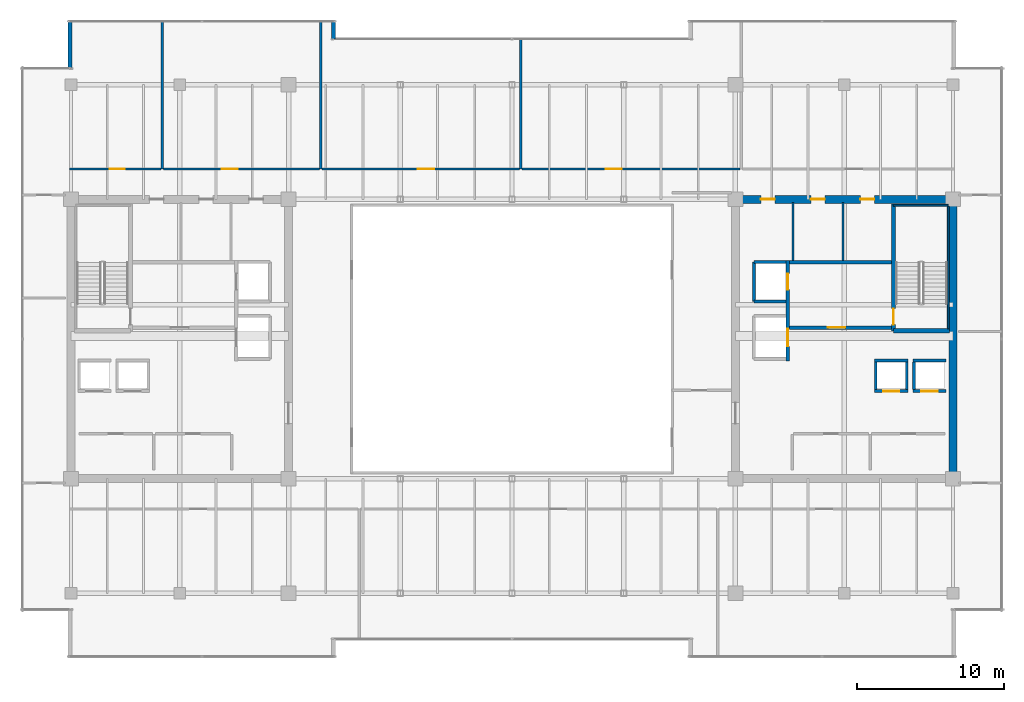
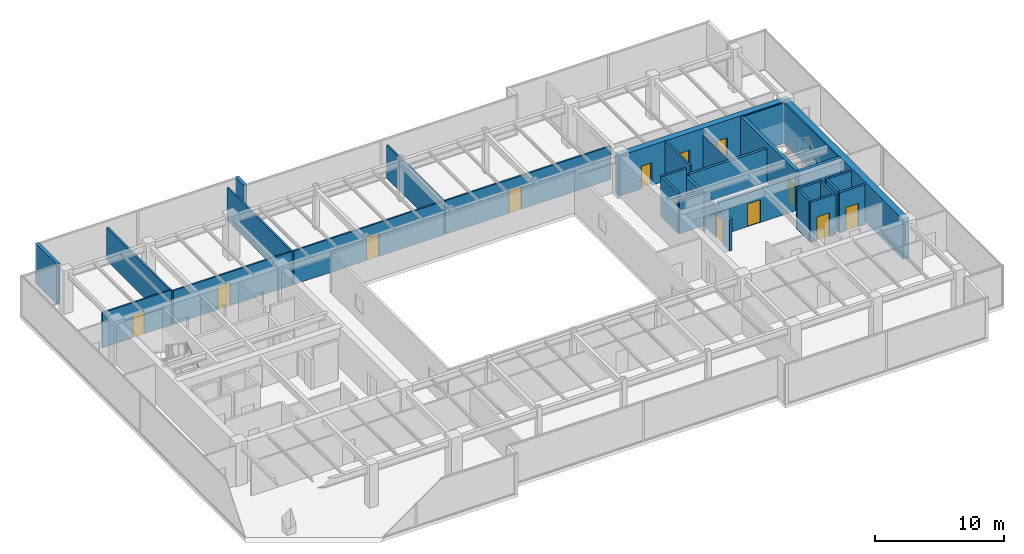
# One storey, part 30 of 33: 30 walls, 13 doors, 13 openings.
"""IFC4 building model written with IfcOpenShell, lengths in metres."""

from ifc_helpers import new_model, si_unit, direction, frame, frame_2d, origin, place, context, subcontext, project, spatial, rectangle, extrude, source, transform, mapped, material, layer, layer_set, type_object, type_shapes, element, fill, save


model = new_model("IFC4")

# Units and contexts
model_context = context("Model", 3, precision=1e-05, world=origin(), true_north=direction((0.0, 1.0)))
body_context = subcontext(model_context, "Body", "Model", "MODEL_VIEW")
ifc_project = project(units=[si_unit("LENGTHUNIT", "METRE"), si_unit("AREAUNIT", "SQUARE_METRE"), si_unit("VOLUMEUNIT", "CUBIC_METRE"), si_unit("PLANEANGLEUNIT", "RADIAN"), si_unit("MASSUNIT", "GRAM", prefix="KILO")], contexts=[model_context])

# Site, building, storey
site_placement = place(None, origin())
site = spatial("IfcSite", under=ifc_project, at=site_placement, CompositionType="ELEMENT")
building_placement = place(site_placement, origin())
building = spatial("IfcBuilding", under=site, at=building_placement, Name="Haelvirn Gate Laboratories", CompositionType="ELEMENT")
storey_placement = place(building_placement, frame((0.0, 0.0, 271.10009765625)))
storey = spatial("IfcBuildingStorey", under=building, at=storey_placement, Name="L65", CompositionType="ELEMENT", Elevation=271.10009765625)

# Walls
ifc_material_1 = material(Name="Thermally-broken bronze aluminium rainscreen & mineral wool", Category="aluminium")
ifc_layer_1 = layer(ifc_material_1, 0.280029296875, Name="EW-TERR-280")
ifc_layer_set_1 = layer_set([ifc_layer_1], Name="Thermally-broken bronze aluminium rainscreen & mineral wool")
wall_type_1 = type_object("IfcWallType", Name="EW-TERR-280", PredefinedType="STANDARD", material=ifc_layer_set_1)
wall_1_placement = place(storey_placement, frame((25.260009765625, 44.70703125, 0.0), z_axis=(0.0, 0.0, 1.0), x_axis=(0.0, 1.0, 0.0)))
element("IfcWall", 1, at=wall_1_placement, inside=storey, type_object=wall_type_1, Name="L65 Atrium Recess Bronze Return Wall 13", PredefinedType="STANDARD", context=body_context, shape_type="SweptSolid", body=[
    extrude(rectangle(XDim=1.29296875, YDim=0.280029296875, at=frame_2d((0.646484375, 0.0))), origin(), (0.0, 0.0, 1.0), 3.7998046875),
])
wall_2_placement = place(storey_placement, frame((7.340087890625, 46.0, 0.0), z_axis=(0.0, 0.0, 1.0), x_axis=(0.0, -1.0, 0.0)))
element("IfcWall", 2, at=wall_2_placement, inside=storey, type_object=wall_type_1, Name="L65 Atrium Recess Bronze Return Wall 15", PredefinedType="STANDARD", context=body_context, shape_type="SweptSolid", body=[
    extrude(rectangle(XDim=3.2880859375, YDim=0.280029296875, at=frame_2d((1.64404296875, 0.0))), origin(), (0.0, 0.0, 1.0), 3.7998046875),
])
ifc_material_2 = material(Name="Double-layer acoustic gypsum laboratory partition", Category="gypsum")
ifc_layer_2 = layer(ifc_material_2, 0.159912109375, Name="IW-ACOUST-160")
ifc_layer_set_2 = layer_set([ifc_layer_2], Name="Double-layer acoustic gypsum laboratory partition")
wall_type_2 = type_object("IfcWallType", Name="IW-ACOUST-160", PredefinedType="PARTITIONING", material=ifc_layer_set_2)
for number, where, z_axis, x_axis, name in (
    (3, (13.60009765625, 35.860107421875, 0.0), (0.0, 0.0, 1.0), (0.0, 1.0, 0.0), "L65 Interior Wall IW-L65-NDIV-01"),
    (4, (24.39990234375, 35.860107421875, 0.0), (0.0, 0.0, 1.0), (0.0, 1.0, 0.0), "L65 Interior Wall IW-L65-NDIV-02"),
):
    element("IfcWall", number, at=place(storey_placement, frame(where, z_axis=z_axis, x_axis=x_axis)), inside=storey, type_object=wall_type_2, Name=name, PredefinedType="PARTITIONING", context=body_context, shape_type="SweptSolid", body=[
        extrude(rectangle(XDim=10.02978515625, YDim=0.159912109375, at=frame_2d((5.014892578125, 0.0))), origin(), (0.0, 0.0, 1.0), 3.135009765625),
    ])
wall_3_placement = place(storey_placement, frame((38.0, 35.860107421875, 0.0), z_axis=(0.0, 0.0, 1.0), x_axis=(0.0, 1.0, 0.0)))
element("IfcWall", 5, at=wall_3_placement, inside=storey, type_object=wall_type_2, Name="L65 Interior Wall IW-L65-NDIV-03", PredefinedType="PARTITIONING", context=body_context, shape_type="SweptSolid", body=[
    extrude(rectangle(XDim=8.829833984375, YDim=0.159912109375, at=frame_2d((4.4150390625, 0.0))), origin(), (0.0, 0.0, 1.0), 3.135009765625),
])

# Wall, opening, door
ifc_material_3 = material(Name="Acoustic mineral-wool gypsum board partition", Category="gypsum")
ifc_layer_3 = layer(ifc_material_3, 0.139892578125, Name="IW-PART-140")
ifc_layer_set_3 = layer_set([ifc_layer_3], Name="Acoustic mineral-wool gypsum board partition")
wall_type_3 = type_object("IfcWallType", Name="IW-PART-140", PredefinedType="PARTITIONING", material=ifc_layer_set_3)
wall_4_placement = place(storey_placement, frame((7.31005859375, 35.860107421875, 0.0), z_axis=(0.0, 0.0, 1.0), x_axis=(1.0, 0.0, 0.0)))
wall_4 = element("IfcWall", 6, at=wall_4_placement, inside=storey, type_object=wall_type_3, Name="L65 Interior Wall IW-L65-NCORR-01", PredefinedType="PARTITIONING", context=body_context, shape_type="SweptSolid", body=[
    extrude(rectangle(XDim=6.2099609375, YDim=0.139892578125, at=frame_2d((3.10498046875, 0.0))), origin(), (0.0, 0.0, 1.0), 3.3349609375),
])
opening_1_placement = place(wall_4_placement, frame((2.740234375, 0.0, 0.0)))
opening_1 = element("IfcOpeningElement", 7, at=opening_1_placement, cuts=wall_4, Name="Opening D2", PredefinedType="OPENING", context=body_context, shape_type="SweptSolid", body=[
    extrude(rectangle(XDim=1.0, YDim=2.14990234375, at=frame_2d((0.5, 1.074951171875))), frame((0.0, 0.080078125, 0.0), z_axis=(0.0, -1.0, 0.0), x_axis=(1.0, 0.0, 0.0)), (0.0, 0.0, 1.0), 0.159912109375),
])
ifc_material_4 = material(Name="Acoustic solid-core timber suite door", Category="wood")
door_type_1 = type_object("IfcDoorType", Name="DR-INT-1000", OperationType="NOTDEFINED", PredefinedType="DOOR", material=ifc_material_4)
shared_shape_1 = source(origin(), body_context, "Body", "SweptSolid", [
    extrude(rectangle(XDim=1.0, YDim=2.14990234375, at=frame_2d((0.5, 1.074951171875))), frame((0.0, 0.02490234375, 0.0), z_axis=(0.0, -1.0, 0.0), x_axis=(1.0, 0.0, 0.0)), (0.0, 0.0, 1.0), 0.050048828125),
])
type_shapes(door_type_1, [shared_shape_1])
door_1_placement = place(opening_1_placement, origin())
door_1 = element("IfcDoor", 8, at=door_1_placement, inside=storey, type_object=door_type_1, Name="L65 Bioinformatics Dry-Lab Workspace Door N1", OperationType="SINGLE_SWING_LEFT", OverallHeight=2.14990234375, OverallWidth=1.0, PredefinedType="DOOR", context=body_context, shape_type="MappedRepresentation", body=[
    mapped(shared_shape_1, transform((0.0, 0.0, 0.0), scale=1.0)),
])
fill(opening_1, door_1)

wall_5_placement = place(storey_placement, frame((13.679931640625, 35.860107421875, 0.0), z_axis=(0.0, 0.0, 1.0), x_axis=(1.0, 0.0, 0.0)))
wall_5 = element("IfcWall", 9, at=wall_5_placement, inside=storey, type_object=wall_type_3, Name="L65 Interior Wall IW-L65-NCORR-02", PredefinedType="PARTITIONING", context=body_context, shape_type="SweptSolid", body=[
    extrude(rectangle(XDim=10.64013671875, YDim=0.139892578125, at=frame_2d((5.320068359375, 0.0))), origin(), (0.0, 0.0, 1.0), 3.197021484375),
])
opening_2_placement = place(wall_5_placement, frame((3.974365234375, 0.0, 0.0)))
opening_2 = element("IfcOpeningElement", 10, at=opening_2_placement, cuts=wall_5, Name="Opening D1", PredefinedType="OPENING", context=body_context, shape_type="SweptSolid", body=[
    extrude(rectangle(XDim=1.10009765625, YDim=2.179931640625, at=frame_2d((0.550048828125, 1.08984375))), frame((0.0, 0.080078125, 0.0), z_axis=(0.0, -1.0, 0.0), x_axis=(1.0, 0.0, 0.0)), (0.0, 0.0, 1.0), 0.159912109375),
])
ifc_material_5 = material(Name="Vision-panel acoustic solid-core timber lab door", Category="wood")
door_type_2 = type_object("IfcDoorType", Name="DR-LAB-1100", OperationType="NOTDEFINED", PredefinedType="DOOR", material=ifc_material_5)
shared_shape_2 = source(origin(), body_context, "Body", "SweptSolid", [
    extrude(rectangle(XDim=1.10009765625, YDim=2.179931640625, at=frame_2d((0.550048828125, 1.08984375))), frame((0.0, 0.02490234375, 0.0), z_axis=(0.0, -1.0, 0.0), x_axis=(1.0, 0.0, 0.0)), (0.0, 0.0, 1.0), 0.050048828125),
])
type_shapes(door_type_2, [shared_shape_2])
door_2_placement = place(opening_2_placement, origin())
door_2 = element("IfcDoor", 11, at=door_2_placement, inside=storey, type_object=door_type_2, Name="L65 Scientific Reference Library Door N2", OperationType="SINGLE_SWING_RIGHT", OverallHeight=2.179931640625, OverallWidth=1.10009765625, PredefinedType="DOOR", context=body_context, shape_type="MappedRepresentation", body=[
    mapped(shared_shape_2, transform((0.0, 0.0, 0.0), scale=1.0)),
])
fill(opening_2, door_2)

wall_6_placement = place(storey_placement, frame((24.47998046875, 35.860107421875, 0.0), z_axis=(0.0, 0.0, 1.0), x_axis=(1.0, 0.0, 0.0)))
wall_6 = element("IfcWall", 12, at=wall_6_placement, inside=storey, type_object=wall_type_3, Name="L65 Interior Wall IW-L65-NCORR-03", PredefinedType="PARTITIONING", context=body_context, shape_type="SweptSolid", body=[
    extrude(rectangle(XDim=13.43994140625, YDim=0.139892578125, at=frame_2d((6.719970703125, 0.0))), origin(), (0.0, 0.0, 1.0), 3.197021484375),
])
opening_3_placement = place(wall_6_placement, frame((6.519287109375, 0.0, 0.0)))
opening_3 = element("IfcOpeningElement", 13, at=opening_3_placement, cuts=wall_6, Name="Opening D1", PredefinedType="OPENING", context=body_context, shape_type="SweptSolid", body=[
    extrude(rectangle(XDim=1.10009765625, YDim=2.179931640625, at=frame_2d((0.550048828125, 1.08984375))), frame((0.0, 0.080078125, 0.0), z_axis=(0.0, -1.0, 0.0), x_axis=(1.0, 0.0, 0.0)), (0.0, 0.0, 1.0), 0.159912109375),
])
door_3_placement = place(opening_3_placement, origin())
door_3 = element("IfcDoor", 14, at=door_3_placement, inside=storey, type_object=door_type_2, Name="L65 Instrumentation Prototyping Workshop Door N3", OperationType="SINGLE_SWING_LEFT", OverallHeight=2.179931640625, OverallWidth=1.10009765625, PredefinedType="DOOR", context=body_context, shape_type="MappedRepresentation", body=[
    mapped(shared_shape_2, transform((0.0, 0.0, 0.0), scale=1.0)),
])
fill(opening_3, door_3)

wall_7_placement = place(storey_placement, frame((38.080078125, 35.860107421875, 0.0), z_axis=(0.0, 0.0, 1.0), x_axis=(1.0, 0.0, 0.0)))
wall_7 = element("IfcWall", 15, at=wall_7_placement, inside=storey, type_object=wall_type_3, Name="L65 Interior Wall IW-L65-NCORR-04", PredefinedType="PARTITIONING", context=body_context, shape_type="SweptSolid", body=[
    extrude(rectangle(XDim=14.83984375, YDim=0.139892578125, at=frame_2d((7.419921875, 0.0))), origin(), (0.0, 0.0, 1.0), 3.197021484375),
])
opening_4_placement = place(wall_7_placement, frame((5.6962890625, 0.0, 0.0)))
opening_4 = element("IfcOpeningElement", 16, at=opening_4_placement, cuts=wall_7, Name="Opening D1", PredefinedType="OPENING", context=body_context, shape_type="SweptSolid", body=[
    extrude(rectangle(XDim=1.10009765625, YDim=2.179931640625, at=frame_2d((0.550048828125, 1.08984375))), frame((0.0, 0.080078125, 0.0), z_axis=(0.0, -1.0, 0.0), x_axis=(1.0, 0.0, 0.0)), (0.0, 0.0, 1.0), 0.159912109375),
])
door_4_placement = place(opening_4_placement, origin())
door_4 = element("IfcDoor", 17, at=door_4_placement, inside=storey, type_object=door_type_2, Name="L65 Colloquium Conference Room Door N4", OperationType="SINGLE_SWING_RIGHT", OverallHeight=2.179931640625, OverallWidth=1.10009765625, PredefinedType="DOOR", context=body_context, shape_type="MappedRepresentation", body=[
    mapped(shared_shape_2, transform((0.0, 0.0, 0.0), scale=1.0)),
])
fill(opening_4, door_4)

# Walls
ifc_material_6 = material(Name="Cement-board restroom plumbing chase wall", Category="gypsum")
ifc_layer_4 = layer(ifc_material_6, 0.155029296875, Name="IW-PLUMB-160")
ifc_layer_set_4 = layer_set([ifc_layer_4], Name="Cement-board restroom plumbing chase wall")
wall_type_4 = type_object("IfcWallType", Name="IW-PLUMB-160", PredefinedType="PLUMBINGWALL", material=ifc_layer_set_4)
wall_8_placement = place(storey_placement, frame((59.909912109375, 29.64990234375, 0.0), z_axis=(0.0, 0.0, 1.0), x_axis=(0.0, 1.0, 0.0)))
element("IfcWall", 18, at=wall_8_placement, inside=storey, type_object=wall_type_4, Name="L65 Interior Wall IW-L65-E-CDIV-1", PredefinedType="PLUMBINGWALL", context=body_context, shape_type="SweptSolid", body=[
    extrude(rectangle(XDim=3.93017578125, YDim=0.155029296875, at=frame_2d((1.965087890625, 0.0))), origin(), (0.0, 0.0, 1.0), 3.197021484375),
])
wall_9_placement = place(storey_placement, frame((56.510009765625, 29.64990234375, 0.0), z_axis=(0.0, 0.0, 1.0), x_axis=(0.0, 1.0, 0.0)))
element("IfcWall", 19, at=wall_9_placement, inside=storey, type_object=wall_type_4, Name="L65 Interior Wall IW-L65-E-CDIV-2", PredefinedType="PLUMBINGWALL", context=body_context, shape_type="SweptSolid", body=[
    extrude(rectangle(XDim=3.93017578125, YDim=0.155029296875, at=frame_2d((1.965087890625, 0.0))), origin(), (0.0, 0.0, 1.0), 3.7998046875),
])
ifc_material_7 = material(Name="Concrete C40/50", Category="concrete")
ifc_layer_5 = layer(ifc_material_7, 0.179931640625, Name="IW-SHAFT-180")
ifc_layer_set_5 = layer_set([ifc_layer_5], Name="Concrete C40/50")
wall_type_5 = type_object("IfcWallType", Name="IW-SHAFT-180", PredefinedType="SOLIDWALL", material=ifc_layer_set_5)
for number, where, z_axis, x_axis, name in (
    (20, (64.75, 20.85009765625, 0.0), (0.0, 0.0, 1.0), (0.0, 1.0, 0.0), "L65 Interior Wall IW-L65-PL11-SD"),
    (21, (62.14990234375, 20.85009765625, 0.0), (0.0, 0.0, 1.0), (0.0, 1.0, 0.0), "L65 Interior Wall IW-L65-PL12-SD"),
    (22, (64.25, 20.85009765625, 0.0), (0.0, 0.0, 1.0), (0.0, 1.0, 0.0), "L65 Interior Wall IW-L65-PL12-SDE"),
):
    element("IfcWall", number, at=place(storey_placement, frame(where, z_axis=z_axis, x_axis=x_axis)), inside=storey, type_object=wall_type_5, Name=name, PredefinedType="SOLIDWALL", context=body_context, shape_type="SweptSolid", body=[
        extrude(rectangle(XDim=1.89990234375, YDim=0.179931640625, at=frame_2d((0.949951171875, 0.0))), origin(), (0.0, 0.0, 1.0), 3.7998046875),
    ])

# Wall, opening, door
ifc_layer_6 = layer(ifc_material_7, 0.199951171875, Name="IW-SHAFT-200")
ifc_layer_set_6 = layer_set([ifc_layer_6], Name="Concrete C40/50")
wall_type_6 = type_object("IfcWallType", Name="IW-SHAFT-200", PredefinedType="SOLIDWALL", material=ifc_layer_set_6)
wall_10_placement = place(storey_placement, frame((64.669921875, 20.75, 0.0), z_axis=(0.0, 0.0, 1.0), x_axis=(1.0, 0.0, 0.0)))
wall_10 = element("IfcWall", 23, at=wall_10_placement, inside=storey, type_object=wall_type_6, Name="L65 Interior Wall IW-L65-PL11-FR", PredefinedType="SOLIDWALL", context=body_context, shape_type="SweptSolid", body=[
    extrude(rectangle(XDim=2.260009765625, YDim=0.199951171875, at=frame_2d((1.1298828125, 0.0))), origin(), (0.0, 0.0, 1.0), 3.7998046875),
])
opening_5_placement = place(wall_10_placement, frame((0.580078125, 0.0, 0.0)))
opening_5 = element("IfcOpeningElement", 24, at=opening_5_placement, cuts=wall_10, Name="Opening LD2", PredefinedType="OPENING", context=body_context, shape_type="SweptSolid", body=[
    extrude(rectangle(XDim=1.10009765625, YDim=2.219970703125, at=frame_2d((0.550048828125, 1.10986328125))), frame((0.0, 0.10986328125, 0.0), z_axis=(0.0, -1.0, 0.0), x_axis=(1.0, 0.0, 0.0)), (0.0, 0.0, 1.0), 0.219970703125),
])
ifc_material_8 = material(Name="Bronze stainless 316L sliding lift landing door")
door_type_3 = type_object("IfcDoorType", Name="DR-LD-1100", OperationType="NOTDEFINED", PredefinedType="USERDEFINED", material=ifc_material_8)
shared_shape_3 = source(origin(), body_context, "Body", "SweptSolid", [
    extrude(rectangle(XDim=1.10009765625, YDim=2.219970703125, at=frame_2d((0.550048828125, 1.10986328125))), frame((0.0, 0.02490234375, 0.0), z_axis=(0.0, -1.0, 0.0), x_axis=(1.0, 0.0, 0.0)), (0.0, 0.0, 1.0), 0.050048828125),
])
type_shapes(door_type_3, [shared_shape_3])
door_5_placement = place(opening_5_placement, origin())
door_5 = element("IfcDoor", 25, at=door_5_placement, inside=storey, type_object=door_type_3, Name="L65 Passenger Lift PL11 Landing Door", ObjectType="LANDING_DOOR", OperationType="SLIDING_TO_LEFT", OverallHeight=2.219970703125, OverallWidth=1.10009765625, PredefinedType="USERDEFINED", context=body_context, shape_type="MappedRepresentation", body=[
    mapped(shared_shape_3, transform((0.0, 0.0, 0.0), scale=1.0)),
])
fill(opening_5, door_5)

# Wall
wall_11_placement = place(storey_placement, frame((64.669921875, 22.85009765625, 0.0), z_axis=(0.0, 0.0, 1.0), x_axis=(1.0, 0.0, 0.0)))
element("IfcWall", 26, at=wall_11_placement, inside=storey, type_object=wall_type_6, Name="L65 Interior Wall IW-L65-PL11-BK", PredefinedType="SOLIDWALL", context=body_context, shape_type="SweptSolid", body=[
    extrude(rectangle(XDim=2.260009765625, YDim=0.199951171875, at=frame_2d((1.1298828125, 0.0))), origin(), (0.0, 0.0, 1.0), 3.7998046875),
])

# Wall, opening, door
wall_12_placement = place(storey_placement, frame((62.070068359375, 20.75, 0.0), z_axis=(0.0, 0.0, 1.0), x_axis=(1.0, 0.0, 0.0)))
wall_12 = element("IfcWall", 27, at=wall_12_placement, inside=storey, type_object=wall_type_6, Name="L65 Interior Wall IW-L65-PL12-FR", PredefinedType="SOLIDWALL", context=body_context, shape_type="SweptSolid", body=[
    extrude(rectangle(XDim=2.260009765625, YDim=0.199951171875, at=frame_2d((1.1298828125, 0.0))), origin(), (0.0, 0.0, 1.0), 3.7998046875),
])
opening_6_placement = place(wall_12_placement, frame((0.580078125, 0.0, 0.0)))
opening_6 = element("IfcOpeningElement", 28, at=opening_6_placement, cuts=wall_12, Name="Opening LD2", PredefinedType="OPENING", context=body_context, shape_type="SweptSolid", body=[
    extrude(rectangle(XDim=1.10009765625, YDim=2.219970703125, at=frame_2d((0.550048828125, 1.10986328125))), frame((0.0, 0.10986328125, 0.0), z_axis=(0.0, -1.0, 0.0), x_axis=(1.0, 0.0, 0.0)), (0.0, 0.0, 1.0), 0.219970703125),
])
door_6_placement = place(opening_6_placement, origin())
door_6 = element("IfcDoor", 29, at=door_6_placement, inside=storey, type_object=door_type_3, Name="L65 Passenger Lift PL12 Landing Door", ObjectType="LANDING_DOOR", OperationType="SLIDING_TO_RIGHT", OverallHeight=2.219970703125, OverallWidth=1.10009765625, PredefinedType="USERDEFINED", context=body_context, shape_type="MappedRepresentation", body=[
    mapped(shared_shape_3, transform((0.0, 0.0, 0.0), scale=1.0)),
])
fill(opening_6, door_6)

# Walls
wall_13_placement = place(storey_placement, frame((62.070068359375, 22.85009765625, 0.0), z_axis=(0.0, 0.0, 1.0), x_axis=(1.0, 0.0, 0.0)))
element("IfcWall", 30, at=wall_13_placement, inside=storey, type_object=wall_type_6, Name="L65 Interior Wall IW-L65-PL12-BK", PredefinedType="SOLIDWALL", context=body_context, shape_type="SweptSolid", body=[
    extrude(rectangle(XDim=2.260009765625, YDim=0.199951171875, at=frame_2d((1.1298828125, 0.0))), origin(), (0.0, 0.0, 1.0), 3.7998046875),
])
wall_14_placement = place(storey_placement, frame((53.85009765625, 26.85009765625, 0.0), z_axis=(0.0, 0.0, 1.0), x_axis=(0.0, 1.0, 0.0)))
element("IfcWall", 31, at=wall_14_placement, inside=storey, type_object=wall_type_6, Name="L65 Interior Wall IW-L65-FL2-BK", PredefinedType="SOLIDWALL", context=body_context, shape_type="SweptSolid", body=[
    extrude(rectangle(XDim=2.699951171875, YDim=0.199951171875, at=frame_2d((1.35009765625, 0.0))), origin(), (0.0, 0.0, 1.0), 3.7998046875),
])
wall_15_placement = place(storey_placement, frame((53.85009765625, 29.550048828125, 0.0), z_axis=(0.0, 0.0, 1.0), x_axis=(1.0, 0.0, 0.0)))
element("IfcWall", 32, at=wall_15_placement, inside=storey, type_object=wall_type_6, Name="L65 Interior Wall IW-L65-FL2-N", PredefinedType="SOLIDWALL", context=body_context, shape_type="SweptSolid", body=[
    extrude(rectangle(XDim=2.18994140625, YDim=0.199951171875, at=frame_2d((1.094970703125, 0.0))), origin(), (0.0, 0.0, 1.0), 3.7998046875),
])
wall_16_placement = place(storey_placement, frame((53.85009765625, 26.85009765625, 0.0), z_axis=(0.0, 0.0, 1.0), x_axis=(1.0, 0.0, 0.0)))
element("IfcWall", 33, at=wall_16_placement, inside=storey, type_object=wall_type_6, Name="L65 Interior Wall IW-L65-FL2-S", PredefinedType="SOLIDWALL", context=body_context, shape_type="SweptSolid", body=[
    extrude(rectangle(XDim=2.18994140625, YDim=0.199951171875, at=frame_2d((1.094970703125, 0.0))), origin(), (0.0, 0.0, 1.0), 3.197021484375),
])

# Wall, opening, door
ifc_layer_7 = layer(ifc_material_7, 0.239990234375, Name="IW-SHAFT-240")
ifc_layer_set_7 = layer_set([ifc_layer_7], Name="Concrete C40/50")
wall_type_7 = type_object("IfcWallType", Name="IW-SHAFT-240", PredefinedType="SOLIDWALL", material=ifc_layer_set_7)
wall_17_placement = place(storey_placement, frame((56.280029296875, 25.080078125, 0.0), z_axis=(0.0, 0.0, 1.0), x_axis=(1.0, 0.0, 0.0)))
wall_17 = element("IfcWall", 34, at=wall_17_placement, inside=storey, type_object=wall_type_7, Name="L65 Interior Wall IW-L65-E-FF-S", PredefinedType="SOLIDWALL", context=body_context, shape_type="SweptSolid", body=[
    extrude(rectangle(XDim=6.919921875, YDim=0.239990234375, at=frame_2d((3.4599609375, 0.0))), origin(), (0.0, 0.0, 1.0), 3.197021484375),
])
opening_7_placement = place(wall_17_placement, frame((2.60009765625, 0.0, 0.0)))
opening_7 = element("IfcOpeningElement", 35, at=opening_7_placement, cuts=wall_17, Name="Opening FD2", PredefinedType="OPENING", context=body_context, shape_type="SweptSolid", body=[
    extrude(rectangle(XDim=1.199951171875, YDim=2.159912109375, at=frame_2d((0.60009765625, 1.080078125))), frame((0.0, 0.1298828125, 0.0), z_axis=(0.0, -1.0, 0.0), x_axis=(1.0, 0.0, 0.0)), (0.0, 0.0, 1.0), 0.260009765625),
])
ifc_material_9 = material(Name="Fire-rated steel SM355 compartment door", Category="steel")
door_type_4 = type_object("IfcDoorType", Name="DR-FD-1200", OperationType="NOTDEFINED", PredefinedType="DOOR", material=ifc_material_9)
shared_shape_4 = source(origin(), body_context, "Body", "SweptSolid", [
    extrude(rectangle(XDim=1.199951171875, YDim=2.159912109375, at=frame_2d((0.60009765625, 1.080078125))), frame((0.0, 0.02490234375, 0.0), z_axis=(0.0, -1.0, 0.0), x_axis=(1.0, 0.0, 0.0)), (0.0, 0.0, 1.0), 0.050048828125),
])
type_shapes(door_type_4, [shared_shape_4])
door_7_placement = place(opening_7_placement, origin())
door_7 = element("IfcDoor", 36, at=door_7_placement, inside=storey, type_object=door_type_4, Name="L65 East Firefighting Lobby Door", OperationType="SINGLE_SWING_LEFT", OverallHeight=2.159912109375, OverallWidth=1.199951171875, PredefinedType="DOOR", context=body_context, shape_type="MappedRepresentation", body=[
    mapped(shared_shape_4, transform((0.0, 0.0, 0.0), scale=1.0)),
])
fill(opening_7, door_7)

# Wall
wall_18_placement = place(storey_placement, frame((56.280029296875, 29.52001953125, 0.0), z_axis=(0.0, 0.0, 1.0), x_axis=(1.0, 0.0, 0.0)))
element("IfcWall", 37, at=wall_18_placement, inside=storey, type_object=wall_type_7, Name="L65 Interior Wall IW-L65-E-FF-N", PredefinedType="SOLIDWALL", context=body_context, shape_type="SweptSolid", body=[
    extrude(rectangle(XDim=6.919921875, YDim=0.239990234375, at=frame_2d((3.4599609375, 0.0))), origin(), (0.0, 0.0, 1.0), 3.197021484375),
])

# Wall, openings, doors
wall_19_placement = place(storey_placement, frame((56.159912109375, 22.800048828125, 0.0), z_axis=(0.0, 0.0, 1.0), x_axis=(0.0, 1.0, 0.0)))
wall_19 = element("IfcWall", 38, at=wall_19_placement, inside=storey, type_object=wall_type_7, Name="L65 Interior Wall IW-L65-E-FF-E", PredefinedType="SOLIDWALL", context=body_context, shape_type="SweptSolid", body=[
    extrude(rectangle(XDim=6.849853515625, YDim=0.239990234375, at=frame_2d((3.4248046875, 0.0))), origin(), (0.0, 0.0, 1.0), 2.934814453125),
])
opening_8_placement = place(wall_19_placement, frame((4.85009765625, 0.0, 0.0)))
opening_8 = element("IfcOpeningElement", 39, at=opening_8_placement, cuts=wall_19, Name="Opening LD2", PredefinedType="OPENING", context=body_context, shape_type="SweptSolid", body=[
    extrude(rectangle(XDim=1.10009765625, YDim=2.219970703125, at=frame_2d((0.550048828125, 1.10986328125))), frame((0.0, 0.1298828125, 0.0), z_axis=(0.0, -1.0, 0.0), x_axis=(1.0, 0.0, 0.0)), (0.0, 0.0, 1.0), 0.260009765625),
])
opening_9_placement = place(wall_19_placement, frame((1.0, 0.0, 0.0)))
opening_9 = element("IfcOpeningElement", 40, at=opening_9_placement, cuts=wall_19, Name="Opening LD1", PredefinedType="OPENING", context=body_context, shape_type="SweptSolid", body=[
    extrude(rectangle(XDim=1.199951171875, YDim=2.219970703125, at=frame_2d((0.60009765625, 1.10986328125))), frame((0.0, 0.1298828125, 0.0), z_axis=(0.0, -1.0, 0.0), x_axis=(1.0, 0.0, 0.0)), (0.0, 0.0, 1.0), 0.260009765625),
])
door_8_placement = place(opening_8_placement, origin())
door_8 = element("IfcDoor", 41, at=door_8_placement, inside=storey, type_object=door_type_3, Name="L65 Firefighting Lift FL2 Landing Door", ObjectType="LANDING_DOOR", OperationType="SLIDING_TO_RIGHT", OverallHeight=2.219970703125, OverallWidth=1.10009765625, PredefinedType="USERDEFINED", context=body_context, shape_type="MappedRepresentation", body=[
    mapped(shared_shape_3, transform((0.0, 0.0, 0.0), scale=1.0)),
])
fill(opening_8, door_8)
ifc_material_10 = material(Name="Stainless steel 316L sliding goods landing door", Category="steel")
door_type_5 = type_object("IfcDoorType", Name="DR-LD-1200", OperationType="NOTDEFINED", PredefinedType="USERDEFINED", material=ifc_material_10)
shared_shape_5 = source(origin(), body_context, "Body", "SweptSolid", [
    extrude(rectangle(XDim=1.199951171875, YDim=2.219970703125, at=frame_2d((0.60009765625, 1.10986328125))), frame((0.0, 0.02490234375, 0.0), z_axis=(0.0, -1.0, 0.0), x_axis=(1.0, 0.0, 0.0)), (0.0, 0.0, 1.0), 0.050048828125),
])
type_shapes(door_type_5, [shared_shape_5])
door_9_placement = place(opening_9_placement, origin())
door_9 = element("IfcDoor", 42, at=door_9_placement, inside=storey, type_object=door_type_5, Name="L65 Service Lift SL2 Landing Door", ObjectType="LANDING_DOOR", OperationType="SLIDING_TO_LEFT", OverallHeight=2.219970703125, OverallWidth=1.199951171875, PredefinedType="USERDEFINED", context=body_context, shape_type="MappedRepresentation", body=[
    mapped(shared_shape_5, transform((0.0, 0.0, 0.0), scale=1.0)),
])
fill(opening_9, door_9)

ifc_material_11 = material(Name="Concrete C50/60", Category="concrete")
ifc_layer_8 = layer(ifc_material_11, 0.550048828125, Name="SW-CORE-550")
ifc_layer_set_8 = layer_set([ifc_layer_8], Name="Concrete C50/60")
wall_type_8 = type_object("IfcWallType", Name="SW-CORE-550", PredefinedType="SHEAR", material=ifc_layer_set_8)
wall_20_placement = place(storey_placement, frame((52.324951171875, 33.800048828125, 0.0), z_axis=(0.0, 0.0, 1.0), x_axis=(1.0, 0.0, 0.0)))
wall_20 = element("IfcWall", 43, at=wall_20_placement, inside=storey, type_object=wall_type_8, Name="L65 E Core Shear Wall N", PredefinedType="SHEAR", context=body_context, shape_type="SweptSolid", body=[
    extrude(rectangle(XDim=15.35009765625, YDim=0.550048828125, at=frame_2d((7.675048828125, 0.0))), origin(), (0.0, 0.0, 1.0), 3.7998046875),
])
opening_10_placement = place(wall_20_placement, frame((8.77490234375, 0.0, 0.0)))
opening_10 = element("IfcOpeningElement", 44, at=opening_10_placement, cuts=wall_20, Name="Opening FD4", PredefinedType="OPENING", context=body_context, shape_type="SweptSolid", body=[
    extrude(rectangle(XDim=0.949951171875, YDim=2.14990234375, at=frame_2d((0.47509765625, 1.074951171875))), frame((0.0, 0.28515625, 0.0), z_axis=(0.0, -1.0, 0.0), x_axis=(1.0, 0.0, 0.0)), (0.0, 0.0, 1.0), 0.570068359375),
])
opening_11_placement = place(wall_20_placement, frame((5.409912109375, 0.0, 0.0)))
opening_11 = element("IfcOpeningElement", 45, at=opening_11_placement, cuts=wall_20, Name="Opening FD4", PredefinedType="OPENING", context=body_context, shape_type="SweptSolid", body=[
    extrude(rectangle(XDim=0.949951171875, YDim=2.14990234375, at=frame_2d((0.47509765625, 1.074951171875))), frame((0.0, 0.28515625, 0.0), z_axis=(0.0, -1.0, 0.0), x_axis=(1.0, 0.0, 0.0)), (0.0, 0.0, 1.0), 0.570068359375),
])
opening_12_placement = place(wall_20_placement, frame((2.010009765625, 0.0, 0.0)))
opening_12 = element("IfcOpeningElement", 46, at=opening_12_placement, cuts=wall_20, Name="Opening FD4", PredefinedType="OPENING", context=body_context, shape_type="SweptSolid", body=[
    extrude(rectangle(XDim=0.949951171875, YDim=2.14990234375, at=frame_2d((0.47509765625, 1.074951171875))), frame((0.0, 0.28515625, 0.0), z_axis=(0.0, -1.0, 0.0), x_axis=(1.0, 0.0, 0.0)), (0.0, 0.0, 1.0), 0.570068359375),
])
ifc_material_12 = material(Name="Fire-rated steel SM355 core service door", Category="steel")
door_type_6 = type_object("IfcDoorType", Name="DR-FD-950", OperationType="NOTDEFINED", PredefinedType="DOOR", material=ifc_material_12)
shared_shape_6 = source(origin(), body_context, "Body", "SweptSolid", [
    extrude(rectangle(XDim=0.949951171875, YDim=2.14990234375, at=frame_2d((0.47509765625, 1.074951171875))), frame((0.0, 0.02490234375, 0.0), z_axis=(0.0, -1.0, 0.0), x_axis=(1.0, 0.0, 0.0)), (0.0, 0.0, 1.0), 0.050048828125),
])
type_shapes(door_type_6, [shared_shape_6])
door_10_placement = place(opening_10_placement, origin())
door_10 = element("IfcDoor", 47, at=door_10_placement, inside=storey, type_object=door_type_6, Name="L65 Male Restroom Fire Door", OperationType="SINGLE_SWING_RIGHT", OverallHeight=2.14990234375, OverallWidth=0.949951171875, PredefinedType="DOOR", context=body_context, shape_type="MappedRepresentation", body=[
    mapped(shared_shape_6, transform((0.0, 0.0, 0.0), scale=1.0)),
])
fill(opening_10, door_10)
door_11_placement = place(opening_11_placement, origin())
door_11 = element("IfcDoor", 48, at=door_11_placement, inside=storey, type_object=door_type_6, Name="L65 Female Restroom Fire Door", OperationType="SINGLE_SWING_LEFT", OverallHeight=2.14990234375, OverallWidth=0.949951171875, PredefinedType="DOOR", context=body_context, shape_type="MappedRepresentation", body=[
    mapped(shared_shape_6, transform((0.0, 0.0, 0.0), scale=1.0)),
])
fill(opening_11, door_11)
door_12_placement = place(opening_12_placement, origin())
door_12 = element("IfcDoor", 49, at=door_12_placement, inside=storey, type_object=door_type_6, Name="L65 Accessible Restroom Fire Door", OperationType="SINGLE_SWING_RIGHT", OverallHeight=2.14990234375, OverallWidth=0.949951171875, PredefinedType="DOOR", context=body_context, shape_type="MappedRepresentation", body=[
    mapped(shared_shape_6, transform((0.0, 0.0, 0.0), scale=1.0)),
])
fill(opening_12, door_12)

# Walls
wall_21_placement = place(storey_placement, frame((67.39990234375, 15.074951171875, 0.0), z_axis=(0.0, 0.0, 1.0), x_axis=(0.0, 1.0, 0.0)))
element("IfcWall", 50, at=wall_21_placement, inside=storey, type_object=wall_type_8, Name="L65 E Core Shear Wall E", PredefinedType="SHEAR", context=body_context, shape_type="SweptSolid", body=[
    extrude(rectangle(XDim=18.449951171875, YDim=0.550048828125, at=frame_2d((9.22509765625, 0.0))), origin(), (0.0, 0.0, 1.0), 3.7998046875),
])
ifc_layer_9 = layer(ifc_material_11, 0.1201171875, Name="SW-LINER-120")
ifc_layer_set_9 = layer_set([ifc_layer_9], Name="Concrete C50/60")
wall_type_9 = type_object("IfcWallType", Name="SW-LINER-120", PredefinedType="SOLIDWALL", material=ifc_layer_set_9)
wall_22_placement = place(storey_placement, frame((63.35009765625, 33.39990234375, 0.0), z_axis=(0.0, 0.0, 1.0), x_axis=(1.0, 0.0, 0.0)))
element("IfcWall", 51, at=wall_22_placement, inside=storey, type_object=wall_type_9, Name="L65 E Core Stair Shaft Liner Wall N", PredefinedType="SOLIDWALL", context=body_context, shape_type="SweptSolid", body=[
    extrude(rectangle(XDim=3.719970703125, YDim=0.1201171875, at=frame_2d((1.85986328125, 0.0))), origin(), (0.0, 0.0, 1.0), 3.7998046875),
])
wall_23_placement = place(storey_placement, frame((67.070068359375, 25.0, 0.0), z_axis=(0.0, 0.0, 1.0), x_axis=(0.0, 1.0, 0.0)))
element("IfcWall", 52, at=wall_23_placement, inside=storey, type_object=wall_type_9, Name="L65 E Core Stair Shaft Liner Wall OUT", PredefinedType="SOLIDWALL", context=body_context, shape_type="SweptSolid", body=[
    extrude(rectangle(XDim=8.320068359375, YDim=0.1201171875, at=frame_2d((4.16015625, 0.0))), origin(), (0.0, 0.0, 1.0), 3.7998046875),
])

# Wall, opening, door
ifc_layer_10 = layer(ifc_material_11, 0.300048828125, Name="SW-STAIR-300")
ifc_layer_set_10 = layer_set([ifc_layer_10], Name="Concrete C50/60")
wall_type_10 = type_object("IfcWallType", Name="SW-STAIR-300", PredefinedType="SHEAR", material=ifc_layer_set_10)
wall_24_placement = place(storey_placement, frame((63.35009765625, 24.85009765625, 0.0), z_axis=(0.0, 0.0, 1.0), x_axis=(0.0, 1.0, 0.0)))
wall_24 = element("IfcWall", 53, at=wall_24_placement, inside=storey, type_object=wall_type_10, Name="L65 E Core Stair Shaft Structural Wall IN", PredefinedType="SHEAR", context=body_context, shape_type="SweptSolid", body=[
    extrude(rectangle(XDim=8.6298828125, YDim=0.300048828125, at=frame_2d((4.31494140625, 0.0))), origin(), (0.0, 0.0, 1.0), 3.7998046875),
])
opening_13_placement = place(wall_24_placement, frame((0.419921875, 0.0, 0.0)))
opening_13 = element("IfcOpeningElement", 54, at=opening_13_placement, cuts=wall_24, Name="Opening FD3", PredefinedType="OPENING", context=body_context, shape_type="SweptSolid", body=[
    extrude(rectangle(XDim=1.10009765625, YDim=2.14990234375, at=frame_2d((0.550048828125, 1.074951171875))), frame((0.0, 0.16015625, 0.0), z_axis=(0.0, -1.0, 0.0), x_axis=(1.0, 0.0, 0.0)), (0.0, 0.0, 1.0), 0.320068359375),
])
ifc_material_13 = material(Name="Fire-rated steel SM355 escape stair door", Category="steel")
door_type_7 = type_object("IfcDoorType", Name="DR-FD-1100", OperationType="NOTDEFINED", PredefinedType="DOOR", material=ifc_material_13)
shared_shape_7 = source(origin(), body_context, "Body", "SweptSolid", [
    extrude(rectangle(XDim=1.10009765625, YDim=2.14990234375, at=frame_2d((0.550048828125, 1.074951171875))), frame((0.0, 0.02490234375, 0.0), z_axis=(0.0, -1.0, 0.0), x_axis=(1.0, 0.0, 0.0)), (0.0, 0.0, 1.0), 0.050048828125),
])
type_shapes(door_type_7, [shared_shape_7])
door_13_placement = place(opening_13_placement, origin())
door_13 = element("IfcDoor", 55, at=door_13_placement, inside=storey, type_object=door_type_7, Name="L65 Escape Stair ST2 Fire Door", OperationType="SINGLE_SWING_RIGHT", OverallHeight=2.14990234375, OverallWidth=1.10009765625, PredefinedType="DOOR", context=body_context, shape_type="MappedRepresentation", body=[
    mapped(shared_shape_7, transform((0.0, 0.0, 0.0), scale=1.0)),
])
fill(opening_13, door_13)

# Wall
wall_25_placement = place(storey_placement, frame((63.35009765625, 24.85009765625, 0.0), z_axis=(0.0, 0.0, 1.0), x_axis=(1.0, 0.0, 0.0)))
element("IfcWall", 56, at=wall_25_placement, inside=storey, type_object=wall_type_10, Name="L65 E Core Stair Shaft Structural Wall S", PredefinedType="SHEAR", context=body_context, shape_type="SweptSolid", body=[
    extrude(rectangle(XDim=3.7998046875, YDim=0.300048828125, at=frame_2d((1.89990234375, 0.0))), origin(), (0.0, 0.0, 1.0), 3.7998046875),
])

save(model, "model.ifc")
